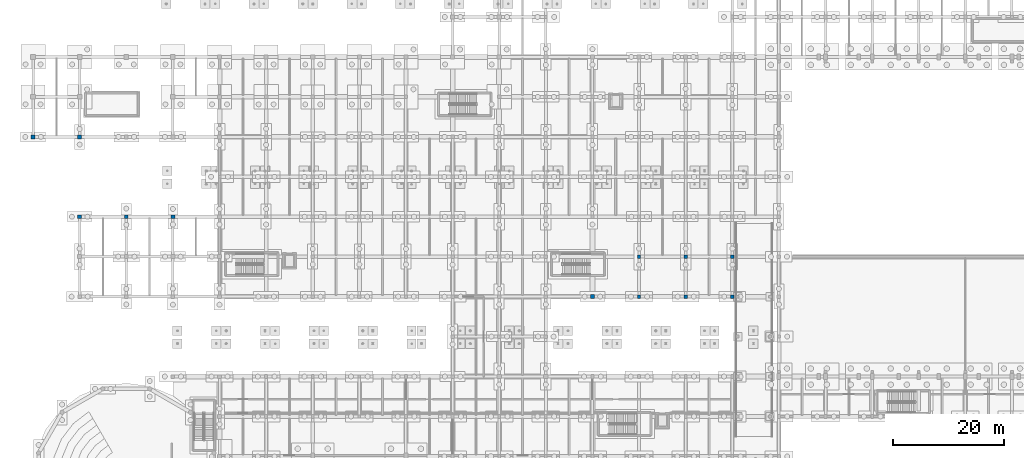
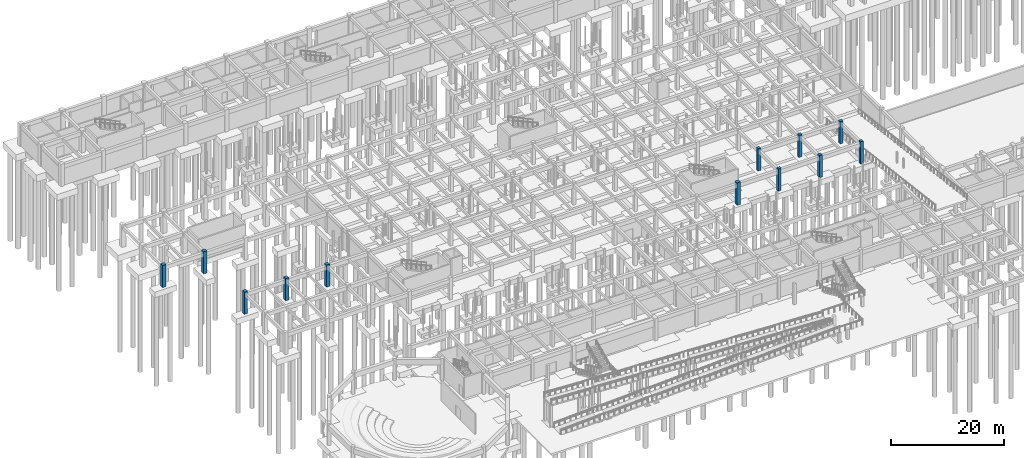
# One storey, part 24 of 80: 12 columns.
"""IFC4 building model written with IfcOpenShell, lengths in metres."""

import ifcopenshell
import ifcopenshell.guid

model = None  # the IFC model being written
_history = None  # IfcOwnerHistory: only IFC2X3 demands one
_inside = {}  # id of a spatial element -> (the spatial element, [elements in it])
_under = {}  # id of a project, library or spatial element -> (it, [spatial elements below it])
_declared = {}  # id of a project -> (the project, [libraries it declares])
_typed = {}  # id of a type object -> (the type object, [elements of that type])
_made_of = {}  # id of a material, layer set ... -> (it, [elements and type objects made of it])


def new_model(schema):
    """Start an empty IFC model of exactly this schema.

    Asked for "IFC4X3", IfcOpenShell would pick the latest addendum, in which some entities
    have other attributes; the version numbers below select the first issue.
    IFC2X3 requires an IfcOwnerHistory on every rooted entity: one is made here for all.
    """
    global model, _history
    if schema == "IFC4X3":
        model = ifcopenshell.file(schema_version=(4, 3, 0, 0))
    else:
        model = ifcopenshell.file(schema=schema)
    _inside.clear()
    _under.clear()
    _declared.clear()
    _typed.clear()
    _made_of.clear()
    _history = None
    if model.schema == "IFC2X3":
        org = make("IfcOrganization", Name="unknown")
        user = make(
            "IfcPersonAndOrganization",
            ThePerson=make("IfcPerson", FamilyName="unknown"),
            TheOrganization=org,
        )
        app = make(
            "IfcApplication",
            ApplicationDeveloper=org,
            Version="unknown",
            ApplicationFullName="unknown",
            ApplicationIdentifier="unknown",
        )
        _history = make(
            "IfcOwnerHistory",
            OwningUser=user,
            OwningApplication=app,
            ChangeAction="ADDED",
            CreationDate=0,
        )
    return model


def make(cls, **values):
    """One entity of the class cls with the attributes given. An attribute that is None is left unset."""
    return model.create_entity(
        cls, **{name: value for name, value in values.items() if value is not None}
    )


def rooted(cls, **values):
    """An entity with a GlobalId (a new one), such as an element, a storey or a relation."""
    return make(cls, GlobalId=ifcopenshell.guid.new(), OwnerHistory=_history, **values)


def si_unit(unit_type, name, prefix=None):
    """IfcSIUnit, for example si_unit("LENGTHUNIT", "METRE", prefix="MILLI")."""
    return make("IfcSIUnit", UnitType=unit_type, Prefix=prefix, Name=name)


def assignment(units):
    """IfcUnitAssignment: the units of a project."""
    return None if units is None else make("IfcUnitAssignment", Units=units)


def point(xyz):
    """IfcCartesianPoint."""
    return None if xyz is None else make("IfcCartesianPoint", Coordinates=xyz)


def direction(xyz):
    """IfcDirection."""
    return None if xyz is None else make("IfcDirection", DirectionRatios=xyz)


def frame(location, z_axis=None, x_axis=None):
    """IfcAxis2Placement3D, a coordinate frame: its origin and axes. An axis left out is left unset."""
    return make(
        "IfcAxis2Placement3D",
        Location=point(location),
        Axis=direction(z_axis),
        RefDirection=direction(x_axis),
    )


def frame_2d(location, x_axis=None):
    """IfcAxis2Placement2D, a coordinate frame in the plane: its origin and x axis."""
    return make(
        "IfcAxis2Placement2D", Location=point(location), RefDirection=direction(x_axis)
    )


def origin():
    """The frame at (0, 0, 0) with its axes left unset."""
    return frame((0.0, 0.0, 0.0))


def origin_2d():
    """The frame at (0, 0) in the plane with its x axis left unset."""
    return frame_2d((0.0, 0.0))


def place(relative_to, where):
    """IfcLocalPlacement: puts the frame where relative to a parent placement (None: the world)."""
    return make(
        "IfcLocalPlacement", PlacementRelTo=relative_to, RelativePlacement=where
    )


def context(
    kind, dimensions, precision=None, world=None, true_north=None, identifier=None
):
    """IfcGeometricRepresentationContext, for example the 3D "Model" context."""
    return make(
        "IfcGeometricRepresentationContext",
        ContextIdentifier=identifier,
        ContextType=kind,
        CoordinateSpaceDimension=dimensions,
        Precision=precision,
        WorldCoordinateSystem=world,
        TrueNorth=true_north,
    )


def subcontext(parent, identifier, kind, view, scale=None):
    """IfcGeometricRepresentationSubContext, for example "Body" below "Model"."""
    return make(
        "IfcGeometricRepresentationSubContext",
        ContextIdentifier=identifier,
        ContextType=kind,
        ParentContext=parent,
        TargetScale=scale,
        TargetView=view,
    )


def project(units=None, contexts=None):
    """IfcProject with its units and contexts."""
    return rooted(
        "IfcProject",
        Name="project",
        RepresentationContexts=contexts,
        UnitsInContext=assignment(units),
    )


def spatial(cls, under=None, at=None, **own):
    """A site, building, storey or space (cls), placed at a placement, below another one or the project."""
    s = rooted(cls, ObjectPlacement=at, **own)
    if under is not None:
        _under.setdefault(under.id(), (under, []))[1].append(s)
    return s


def profile(cls, at=None, kind="AREA", **sizes):
    """A parametric profile (cls). Its sizes go by their IFC names, for example OverallWidth=200.0."""
    return make(cls, ProfileType=kind, Position=at, **sizes)


def rectangle(**sizes):
    """IfcRectangleProfileDef."""
    return profile("IfcRectangleProfileDef", **sizes)


def extrude(swept, where, along, depth):
    """IfcExtrudedAreaSolid: the profile swept, set in the frame where, extruded along a direction by depth."""
    return make(
        "IfcExtrudedAreaSolid",
        SweptArea=swept,
        Position=where,
        ExtrudedDirection=direction(along),
        Depth=depth,
    )


def shape(context_of_items, identifier, shape_type, items):
    """IfcShapeRepresentation: the items that make up one representation, for example the "Body"."""
    return make(
        "IfcShapeRepresentation",
        ContextOfItems=context_of_items,
        RepresentationIdentifier=identifier,
        RepresentationType=shape_type,
        Items=items,
    )


def material(Name=None, Category=None):
    """IfcMaterial."""
    return make("IfcMaterial", Name=Name, Category=Category)


def material_profile(
    of_material, cross_section, Name=None, Category=None, Priority=None
):
    """IfcMaterialProfile: a cross section and its material."""
    return make(
        "IfcMaterialProfile",
        Name=Name,
        Material=of_material,
        Profile=cross_section,
        Priority=Priority,
        Category=Category,
    )


def profile_set(profiles, Name=None, composite=None):
    """IfcMaterialProfileSet."""
    return make(
        "IfcMaterialProfileSet",
        Name=Name,
        MaterialProfiles=profiles,
        CompositeProfile=composite,
    )


def made_of(thing, what):
    """Note that an element or type object is made of a material, layer set ...; save() writes the relation."""
    if what is not None:
        _made_of.setdefault(what.id(), (what, []))[1].append(thing)
    return thing


def type_object(cls, material=None, **own):
    """A type object (cls), such as IfcWallType, which elements share."""
    return made_of(rooted(cls, **own), material)


def element(
    cls,
    number,
    at=None,
    inside=None,
    cuts=None,
    type_object=None,
    material=None,
    context=None,
    identifier="Body",
    shape_type=None,
    held_by="IfcProductDefinitionShape",
    body=None,
    shapes=None,
    **own,
):
    """One element of the class cls, such as IfcWall. Its Tag is "e" and its number.

    at: its placement. inside: the storey or other place that contains it. cuts: it is an
    opening in that element (IfcRelVoidsElement). A single representation is given by context,
    identifier, shape_type and body (its items); several are given by shapes. held_by: the class
    of the entity that holds the representations. save() writes the other relations.
    """
    e = rooted(cls, Tag="e%d" % number, ObjectPlacement=at, **own)
    if body is not None:
        shapes = [shape(context, identifier, shape_type, body)]
    if shapes is not None:
        e.Representation = make(held_by, Representations=shapes)
    if inside is not None:
        _inside.setdefault(inside.id(), (inside, []))[1].append(e)
    if cuts is not None:
        rooted(
            "IfcRelVoidsElement", RelatingBuildingElement=cuts, RelatedOpeningElement=e
        )
    if type_object is not None:
        _typed.setdefault(type_object.id(), (type_object, []))[1].append(e)
    return made_of(e, material)


def aggregate(whole, parts):
    """IfcRelAggregates: a whole, such as a stair, and the parts it consists of."""
    return rooted("IfcRelAggregates", RelatingObject=whole, RelatedObjects=parts)


def save(model, path):
    """Write the relations noted so far, then the file.

    IfcRelAggregates (storeys below a building ...), IfcRelContainedInSpatialStructure (elements
    in a storey), IfcRelDefinesByType, IfcRelAssociatesMaterial and IfcRelDeclares: one each for
    every whole, place, type object, material and project.
    """
    for whole, parts in _under.values():
        aggregate(whole, parts)
    for where, things in _inside.values():
        rooted(
            "IfcRelContainedInSpatialStructure",
            RelatedElements=things,
            RelatingStructure=where,
        )
    for kind, things in _typed.values():
        rooted("IfcRelDefinesByType", RelatedObjects=things, RelatingType=kind)
    for what, things in _made_of.values():
        rooted("IfcRelAssociatesMaterial", RelatedObjects=things, RelatingMaterial=what)
    for by, libraries in _declared.values():
        rooted("IfcRelDeclares", RelatingContext=by, RelatedDefinitions=libraries)
    model.write(path)


model = new_model("IFC4")

# Units and contexts
model_context = context("Model", 3, precision=1e-05, world=origin(), true_north=direction((0.0, 1.0)))
body_context = subcontext(model_context, "Body", "Model", "MODEL_VIEW")
ifc_project = project(units=[si_unit("LENGTHUNIT", "METRE"), si_unit("AREAUNIT", "SQUARE_METRE"), si_unit("VOLUMEUNIT", "CUBIC_METRE"), si_unit("PLANEANGLEUNIT", "RADIAN"), si_unit("MASSUNIT", "GRAM", prefix="KILO")], contexts=[model_context])

# Site, building, storey
site_placement = place(None, origin())
site = spatial("IfcSite", under=ifc_project, at=site_placement, CompositionType="ELEMENT")
building_placement = place(site_placement, origin())
building = spatial("IfcBuilding", under=site, at=building_placement, Name="Malvenik Polytechnic", CompositionType="ELEMENT")
storey_placement = place(building_placement, frame((0.0, 0.0, -4.800048828125)))
storey = spatial("IfcBuildingStorey", under=building, at=storey_placement, Name="B1", CompositionType="ELEMENT", Elevation=-4.800048828125)

# Columns
ifc_material_1 = material(Name="Concrete C40/50", Category="concrete")
ifc_material_profile_1 = material_profile(ifc_material_1, rectangle(XDim=0.75, YDim=0.75, at=origin_2d()), Name="RC COL 750x750")
ifc_profile_set_1 = profile_set([ifc_material_profile_1], Name="Concrete C40/50")
column_type_1 = type_object("IfcColumnType", Name="STR-COL-C-03", PredefinedType="COLUMN", material=ifc_profile_set_1)
column_placement = place(storey_placement, frame((100.800048828125, 50.39990234375, 0.0), z_axis=(0.0, 0.0, 1.0), x_axis=(1.0, 0.0, 0.0)))
element("IfcColumn", 1, at=column_placement, inside=storey, type_object=column_type_1, Name="Column C-03 B1 (100.8,50.4)", PredefinedType="COLUMN", context=body_context, shape_type="SweptSolid", body=[
    extrude(rectangle(XDim=0.75, YDim=0.75, at=origin_2d()), origin(), (0.0, 0.0, 1.0), 4.800048828125),
])
ifc_material_profile_2 = material_profile(ifc_material_1, rectangle(XDim=0.699951171875, YDim=0.699951171875, at=origin_2d()), Name="RC COL 700x700")
ifc_profile_set_2 = profile_set([ifc_material_profile_2], Name="Concrete C40/50")
column_type_2 = type_object("IfcColumnType", Name="STR-COL-C-04", PredefinedType="COLUMN", material=ifc_profile_set_2)
for number, where, z_axis, x_axis, name in (
    (2, (0.0, 79.199951171875, 0.0), (0.0, 0.0, 1.0), (1.0, 0.0, 0.0), "Column C-04 B1 (0.0,79.2)"),
    (3, (8.39990234375, 64.800048828125, 0.0), (0.0, 0.0, 1.0), (1.0, 0.0, 0.0), "Column C-04 B1 (8.4,64.8)"),
    (4, (8.39990234375, 79.199951171875, 0.0), (0.0, 0.0, 1.0), (1.0, 0.0, 0.0), "Column C-04 B1 (8.4,79.2)"),
    (5, (16.800048828125, 64.800048828125, 0.0), (0.0, 0.0, 1.0), (1.0, 0.0, 0.0), "Column C-04 B1 (16.8,64.8)"),
    (6, (25.199951171875, 64.800048828125, 0.0), (0.0, 0.0, 1.0), (1.0, 0.0, 0.0), "Column C-04 B1 (25.2,64.8)"),
):
    element("IfcColumn", number, at=place(storey_placement, frame(where, z_axis=z_axis, x_axis=x_axis)), inside=storey, type_object=column_type_2, Name=name, PredefinedType="COLUMN", context=body_context, shape_type="SweptSolid", body=[
        extrude(rectangle(XDim=0.699951171875, YDim=0.699951171875, at=origin_2d()), origin(), (0.0, 0.0, 1.0), 4.800048828125),
    ])
ifc_material_2 = material(Name="Concrete C35/45", Category="concrete")
ifc_material_profile_3 = material_profile(ifc_material_2, rectangle(XDim=0.60009765625, YDim=0.60009765625, at=origin_2d()), Name="RC COL 600x600")
ifc_profile_set_3 = profile_set([ifc_material_profile_3], Name="Concrete C35/45")
column_type_3 = type_object("IfcColumnType", Name="STR-COL-C-06", PredefinedType="COLUMN", material=ifc_profile_set_3)
for number, where, z_axis, x_axis, name in (
    (7, (109.199951171875, 50.39990234375, 0.0), (0.0, 0.0, 1.0), (1.0, 0.0, 0.0), "Column C-06 B1 (109.2,50.4)"),
    (8, (109.199951171875, 57.60009765625, 0.0), (0.0, 0.0, 1.0), (1.0, 0.0, 0.0), "Column C-06 B1 (109.2,57.6)"),
    (9, (117.60009765625, 50.39990234375, 0.0), (0.0, 0.0, 1.0), (1.0, 0.0, 0.0), "Column C-06 B1 (117.6,50.4)"),
    (10, (117.60009765625, 57.60009765625, 0.0), (0.0, 0.0, 1.0), (1.0, 0.0, 0.0), "Column C-06 B1 (117.6,57.6)"),
    (11, (126.0, 50.39990234375, 0.0), (0.0, 0.0, 1.0), (1.0, 0.0, 0.0), "Column C-06 B1 (126.0,50.4)"),
    (12, (126.0, 57.60009765625, 0.0), (0.0, 0.0, 1.0), (1.0, 0.0, 0.0), "Column C-06 B1 (126.0,57.6)"),
):
    element("IfcColumn", number, at=place(storey_placement, frame(where, z_axis=z_axis, x_axis=x_axis)), inside=storey, type_object=column_type_3, Name=name, PredefinedType="COLUMN", context=body_context, shape_type="SweptSolid", body=[
        extrude(rectangle(XDim=0.60009765625, YDim=0.60009765625, at=origin_2d()), origin(), (0.0, 0.0, 1.0), 4.800048828125),
    ])

save(model, "model.ifc")
